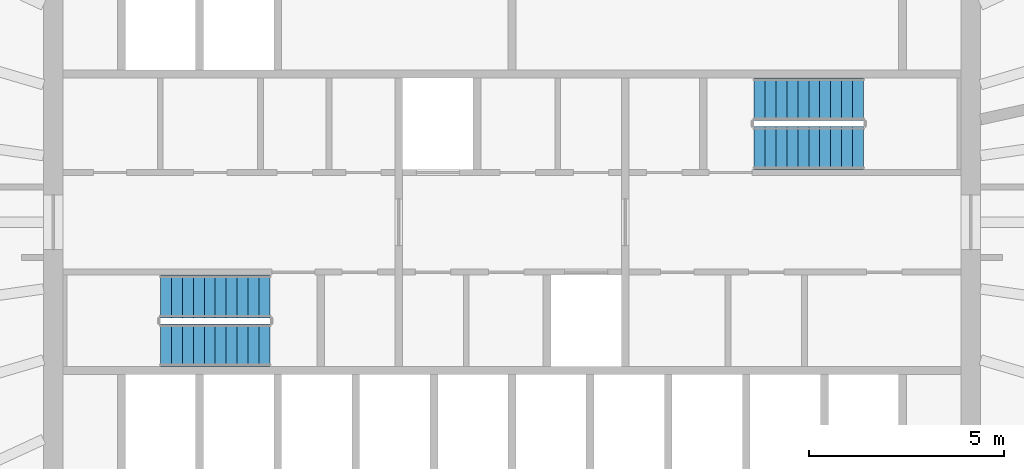
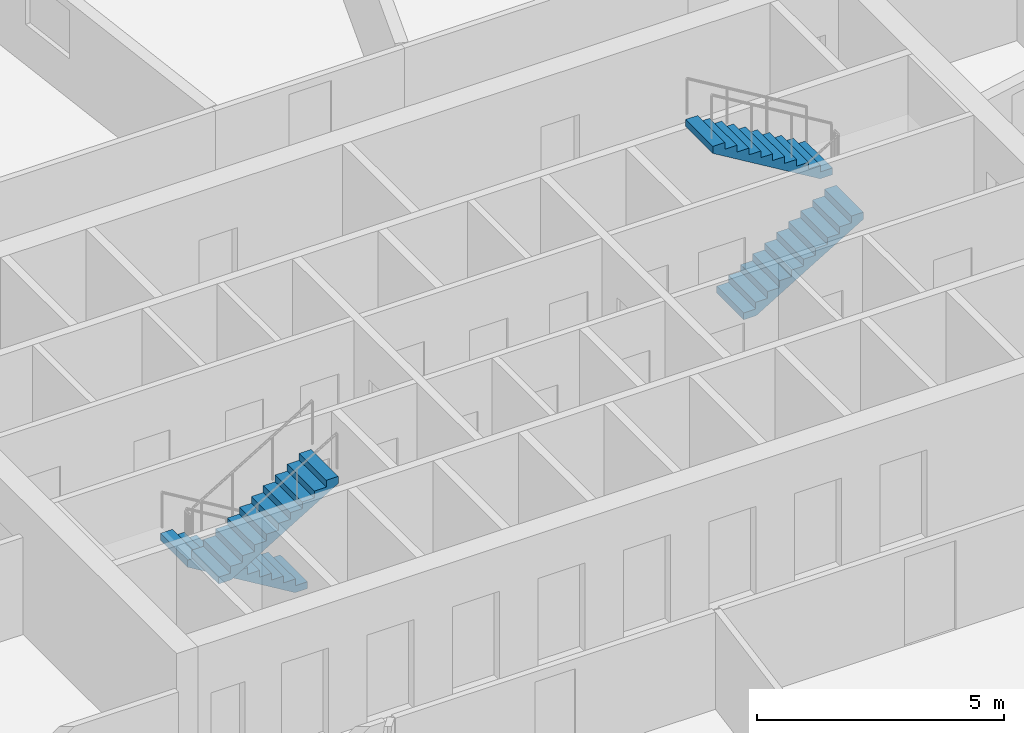
# One storey, part 11 of 12: 4 stair flights, 2 elements without a shape of their own.
"""IFC4 building model written with IfcOpenShell, lengths in metres."""

from ifc_helpers import new_model, si_unit, direction, frame, origin, place, context, subcontext, project, spatial, polyline, outline, extrude, material, type_object, element, aggregate, save


model = new_model("IFC4")

# Units and contexts
model_context = context("Model", 3, precision=1e-05, world=origin(), true_north=direction((0.0, 1.0)))
body_context = subcontext(model_context, "Body", "Model", "MODEL_VIEW")
ifc_project = project(units=[si_unit("LENGTHUNIT", "METRE"), si_unit("AREAUNIT", "SQUARE_METRE"), si_unit("VOLUMEUNIT", "CUBIC_METRE"), si_unit("PLANEANGLEUNIT", "RADIAN"), si_unit("MASSUNIT", "GRAM", prefix="KILO")], contexts=[model_context])

# Site, building, storey
site_placement = place(None, origin())
site = spatial("IfcSite", under=ifc_project, at=site_placement, CompositionType="ELEMENT")
building_placement = place(site_placement, origin())
building = spatial("IfcBuilding", under=site, at=building_placement, Name="Siaravel Broadcast Tower", CompositionType="ELEMENT")
storey_placement = place(building_placement, frame((0.0, 0.0, 100.800048828125)))
storey = spatial("IfcBuildingStorey", under=building, at=storey_placement, Name="L23", CompositionType="ELEMENT", Elevation=100.800048828125)

# Stair, stair flights
ifc_material = material(Name="Concrete C40/50", Category="concrete")
stair_type = type_object("IfcStairType", Name="Core exit stair", PredefinedType="HALF_TURN_STAIR", material=ifc_material)
stair_1_placement = place(storey_placement, origin())
stair_1 = element("IfcStair", 1, at=stair_1_placement, inside=storey, type_object=stair_type, Name="L23 Exit stair ST-1", PredefinedType="HALF_TURN_STAIR")
stair_flight_type = type_object("IfcStairFlightType", Name="Stair flight 1100", PredefinedType="STRAIGHT", material=ifc_material)
stair_flight_1_placement = place(storey_placement, frame((-6.199951171875, -1.89990234375, 0.0), z_axis=(0.0, 0.0, 1.0), x_axis=(-1.0, 0.0, 0.0)))
stair_flight_1 = element("IfcStairFlight", 2, at=stair_flight_1_placement, type_object=stair_flight_type, Name="ST-1 flight 1", NumberOfRisers=11, NumberOfTreads=10, PredefinedType="STRAIGHT", RiserHeight=0.1681818, TreadLength=0.28, context=body_context, shape_type="SweptSolid", body=[
    extrude(outline(polyline([(0.0, 0.0), (0.0, 0.168212890625), (0.280029296875, 0.168212890625), (0.280029296875, 0.33642578125), (0.56005859375, 0.33642578125), (0.56005859375, 0.504638671875), (0.840087890625, 0.504638671875), (0.840087890625, 0.672607421875), (1.1201171875, 0.672607421875), (1.1201171875, 0.8408203125), (1.39990234375, 0.8408203125), (1.39990234375, 1.009033203125), (1.679931640625, 1.009033203125), (1.679931640625, 1.17724609375), (1.9599609375, 1.17724609375), (1.9599609375, 1.345458984375), (2.239990234375, 1.345458984375), (2.239990234375, 1.513671875), (2.52001953125, 1.513671875), (2.52001953125, 1.681884765625), (2.800048828125, 1.681884765625), (2.800048828125, 1.85009765625), (2.800048828125, 1.5068359375), (0.291015625, 0.0), (0.0, 0.0)])), frame((0.0, 0.550048828125, 0.0), z_axis=(0.0, -1.0, 0.0), x_axis=(1.0, 0.0, 0.0)), (0.0, 0.0, 1.0), 1.10009765625),
])
stair_flight_2_placement = place(storey_placement, frame((-9.0, -3.14990234375, 1.849853515625), z_axis=(0.0, 0.0, 1.0), x_axis=(1.0, 0.0, 0.0)))
stair_flight_2 = element("IfcStairFlight", 3, at=stair_flight_2_placement, type_object=stair_flight_type, Name="ST-1 flight 2", NumberOfRisers=11, NumberOfTreads=10, PredefinedType="STRAIGHT", RiserHeight=0.1681818, TreadLength=0.28, context=body_context, shape_type="SweptSolid", body=[
    extrude(outline(polyline([(0.0, 0.0), (0.0, 0.168212890625), (0.280029296875, 0.168212890625), (0.280029296875, 0.33642578125), (0.56005859375, 0.33642578125), (0.56005859375, 0.504638671875), (0.840087890625, 0.504638671875), (0.840087890625, 0.672607421875), (1.1201171875, 0.672607421875), (1.1201171875, 0.8408203125), (1.39990234375, 0.8408203125), (1.39990234375, 1.009033203125), (1.679931640625, 1.009033203125), (1.679931640625, 1.17724609375), (1.9599609375, 1.17724609375), (1.9599609375, 1.345458984375), (2.239990234375, 1.345458984375), (2.239990234375, 1.513671875), (2.52001953125, 1.513671875), (2.52001953125, 1.681884765625), (2.800048828125, 1.681884765625), (2.800048828125, 1.85009765625), (2.800048828125, 1.5068359375), (0.291015625, 0.0), (0.0, 0.0)])), frame((0.0, 0.550048828125, 0.0), z_axis=(0.0, -1.0, 0.0), x_axis=(1.0, 0.0, 0.0)), (0.0, 0.0, 1.0), 1.10009765625),
])
aggregate(stair_1, [stair_flight_1, stair_flight_2])

stair_2_placement = place(storey_placement, origin())
stair_2 = element("IfcStair", 4, at=stair_2_placement, inside=storey, type_object=stair_type, Name="L23 Exit stair ST-2", PredefinedType="HALF_TURN_STAIR")
stair_flight_3_placement = place(storey_placement, frame((6.199951171875, 1.89990234375, 0.0), z_axis=(0.0, 0.0, 1.0), x_axis=(1.0, 0.0, 0.0)))
stair_flight_3 = element("IfcStairFlight", 5, at=stair_flight_3_placement, type_object=stair_flight_type, Name="ST-2 flight 1", NumberOfRisers=11, NumberOfTreads=10, PredefinedType="STRAIGHT", RiserHeight=0.1681818, TreadLength=0.28, context=body_context, shape_type="SweptSolid", body=[
    extrude(outline(polyline([(0.0, 0.0), (0.0, 0.168212890625), (0.280029296875, 0.168212890625), (0.280029296875, 0.33642578125), (0.56005859375, 0.33642578125), (0.56005859375, 0.504638671875), (0.840087890625, 0.504638671875), (0.840087890625, 0.672607421875), (1.1201171875, 0.672607421875), (1.1201171875, 0.8408203125), (1.39990234375, 0.8408203125), (1.39990234375, 1.009033203125), (1.679931640625, 1.009033203125), (1.679931640625, 1.17724609375), (1.9599609375, 1.17724609375), (1.9599609375, 1.345458984375), (2.239990234375, 1.345458984375), (2.239990234375, 1.513671875), (2.52001953125, 1.513671875), (2.52001953125, 1.681884765625), (2.800048828125, 1.681884765625), (2.800048828125, 1.85009765625), (2.800048828125, 1.5068359375), (0.291015625, 0.0), (0.0, 0.0)])), frame((0.0, 0.550048828125, 0.0), z_axis=(0.0, -1.0, 0.0), x_axis=(1.0, 0.0, 0.0)), (0.0, 0.0, 1.0), 1.10009765625),
])
stair_flight_4_placement = place(storey_placement, frame((9.0, 3.14990234375, 1.849853515625), z_axis=(0.0, 0.0, 1.0), x_axis=(-1.0, 0.0, 0.0)))
stair_flight_4 = element("IfcStairFlight", 6, at=stair_flight_4_placement, type_object=stair_flight_type, Name="ST-2 flight 2", NumberOfRisers=11, NumberOfTreads=10, PredefinedType="STRAIGHT", RiserHeight=0.1681818, TreadLength=0.28, context=body_context, shape_type="SweptSolid", body=[
    extrude(outline(polyline([(0.0, 0.0), (0.0, 0.168212890625), (0.280029296875, 0.168212890625), (0.280029296875, 0.33642578125), (0.56005859375, 0.33642578125), (0.56005859375, 0.504638671875), (0.840087890625, 0.504638671875), (0.840087890625, 0.672607421875), (1.1201171875, 0.672607421875), (1.1201171875, 0.8408203125), (1.39990234375, 0.8408203125), (1.39990234375, 1.009033203125), (1.679931640625, 1.009033203125), (1.679931640625, 1.17724609375), (1.9599609375, 1.17724609375), (1.9599609375, 1.345458984375), (2.239990234375, 1.345458984375), (2.239990234375, 1.513671875), (2.52001953125, 1.513671875), (2.52001953125, 1.681884765625), (2.800048828125, 1.681884765625), (2.800048828125, 1.85009765625), (2.800048828125, 1.5068359375), (0.291015625, 0.0), (0.0, 0.0)])), frame((0.0, 0.550048828125, 0.0), z_axis=(0.0, -1.0, 0.0), x_axis=(1.0, 0.0, 0.0)), (0.0, 0.0, 1.0), 1.10009765625),
])
aggregate(stair_2, [stair_flight_3, stair_flight_4])

save(model, "model.ifc")
